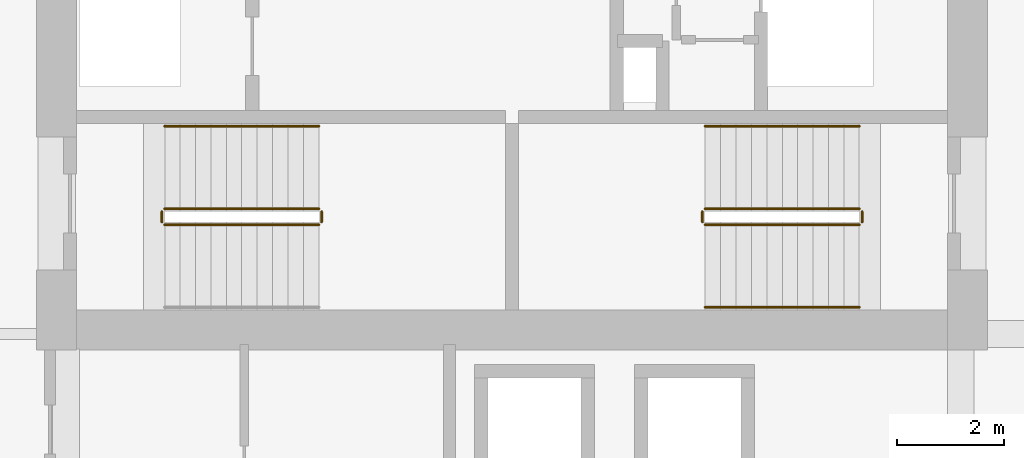
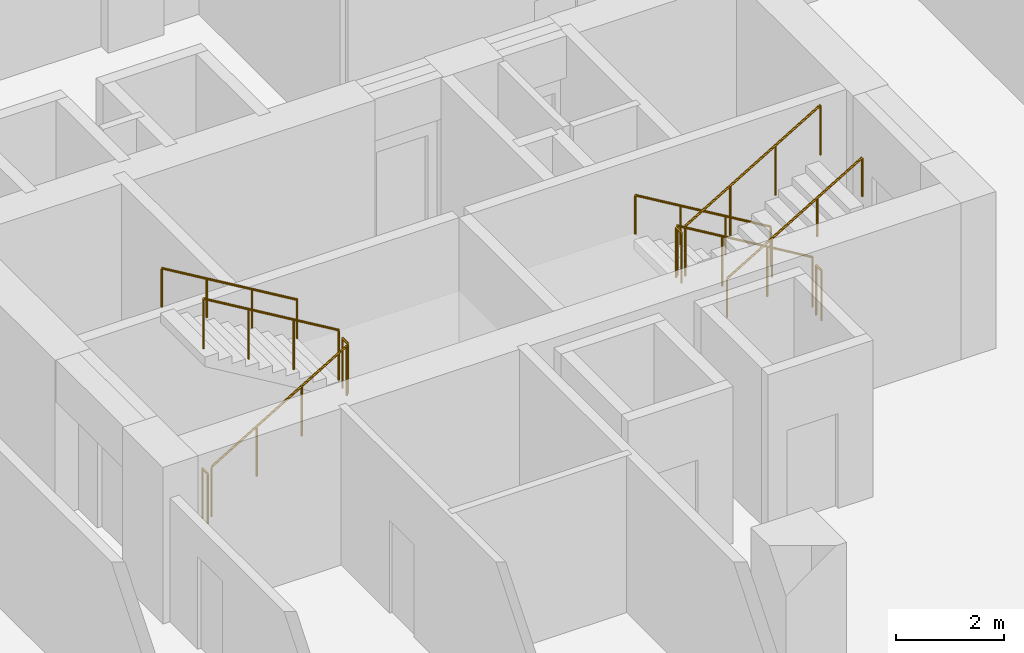
# One storey, part 20 of 22: 11 railings.
"""IFC4 building model written with IfcOpenShell, lengths in metres."""

import ifcopenshell
import ifcopenshell.guid

model = None  # the IFC model being written
_history = None  # IfcOwnerHistory: only IFC2X3 demands one
_inside = {}  # id of a spatial element -> (the spatial element, [elements in it])
_under = {}  # id of a project, library or spatial element -> (it, [spatial elements below it])
_declared = {}  # id of a project -> (the project, [libraries it declares])
_typed = {}  # id of a type object -> (the type object, [elements of that type])
_made_of = {}  # id of a material, layer set ... -> (it, [elements and type objects made of it])


def new_model(schema):
    """Start an empty IFC model of exactly this schema.

    Asked for "IFC4X3", IfcOpenShell would pick the latest addendum, in which some entities
    have other attributes; the version numbers below select the first issue.
    IFC2X3 requires an IfcOwnerHistory on every rooted entity: one is made here for all.
    """
    global model, _history
    if schema == "IFC4X3":
        model = ifcopenshell.file(schema_version=(4, 3, 0, 0))
    else:
        model = ifcopenshell.file(schema=schema)
    _inside.clear()
    _under.clear()
    _declared.clear()
    _typed.clear()
    _made_of.clear()
    _history = None
    if model.schema == "IFC2X3":
        org = make("IfcOrganization", Name="unknown")
        user = make(
            "IfcPersonAndOrganization",
            ThePerson=make("IfcPerson", FamilyName="unknown"),
            TheOrganization=org,
        )
        app = make(
            "IfcApplication",
            ApplicationDeveloper=org,
            Version="unknown",
            ApplicationFullName="unknown",
            ApplicationIdentifier="unknown",
        )
        _history = make(
            "IfcOwnerHistory",
            OwningUser=user,
            OwningApplication=app,
            ChangeAction="ADDED",
            CreationDate=0,
        )
    return model


def make(cls, **values):
    """One entity of the class cls with the attributes given. An attribute that is None is left unset."""
    return model.create_entity(
        cls, **{name: value for name, value in values.items() if value is not None}
    )


def rooted(cls, **values):
    """An entity with a GlobalId (a new one), such as an element, a storey or a relation."""
    return make(cls, GlobalId=ifcopenshell.guid.new(), OwnerHistory=_history, **values)


def si_unit(unit_type, name, prefix=None):
    """IfcSIUnit, for example si_unit("LENGTHUNIT", "METRE", prefix="MILLI")."""
    return make("IfcSIUnit", UnitType=unit_type, Prefix=prefix, Name=name)


def assignment(units):
    """IfcUnitAssignment: the units of a project."""
    return None if units is None else make("IfcUnitAssignment", Units=units)


def point(xyz):
    """IfcCartesianPoint."""
    return None if xyz is None else make("IfcCartesianPoint", Coordinates=xyz)


def direction(xyz):
    """IfcDirection."""
    return None if xyz is None else make("IfcDirection", DirectionRatios=xyz)


def frame(location, z_axis=None, x_axis=None):
    """IfcAxis2Placement3D, a coordinate frame: its origin and axes. An axis left out is left unset."""
    return make(
        "IfcAxis2Placement3D",
        Location=point(location),
        Axis=direction(z_axis),
        RefDirection=direction(x_axis),
    )


def frame_2d(location, x_axis=None):
    """IfcAxis2Placement2D, a coordinate frame in the plane: its origin and x axis."""
    return make(
        "IfcAxis2Placement2D", Location=point(location), RefDirection=direction(x_axis)
    )


def origin():
    """The frame at (0, 0, 0) with its axes left unset."""
    return frame((0.0, 0.0, 0.0))


def origin_2d():
    """The frame at (0, 0) in the plane with its x axis left unset."""
    return frame_2d((0.0, 0.0))


def place(relative_to, where):
    """IfcLocalPlacement: puts the frame where relative to a parent placement (None: the world)."""
    return make(
        "IfcLocalPlacement", PlacementRelTo=relative_to, RelativePlacement=where
    )


def context(
    kind, dimensions, precision=None, world=None, true_north=None, identifier=None
):
    """IfcGeometricRepresentationContext, for example the 3D "Model" context."""
    return make(
        "IfcGeometricRepresentationContext",
        ContextIdentifier=identifier,
        ContextType=kind,
        CoordinateSpaceDimension=dimensions,
        Precision=precision,
        WorldCoordinateSystem=world,
        TrueNorth=true_north,
    )


def subcontext(parent, identifier, kind, view, scale=None):
    """IfcGeometricRepresentationSubContext, for example "Body" below "Model"."""
    return make(
        "IfcGeometricRepresentationSubContext",
        ContextIdentifier=identifier,
        ContextType=kind,
        ParentContext=parent,
        TargetScale=scale,
        TargetView=view,
    )


def project(units=None, contexts=None):
    """IfcProject with its units and contexts."""
    return rooted(
        "IfcProject",
        Name="project",
        RepresentationContexts=contexts,
        UnitsInContext=assignment(units),
    )


def spatial(cls, under=None, at=None, **own):
    """A site, building, storey or space (cls), placed at a placement, below another one or the project."""
    s = rooted(cls, ObjectPlacement=at, **own)
    if under is not None:
        _under.setdefault(under.id(), (under, []))[1].append(s)
    return s


def profile(cls, at=None, kind="AREA", **sizes):
    """A parametric profile (cls). Its sizes go by their IFC names, for example OverallWidth=200.0."""
    return make(cls, ProfileType=kind, Position=at, **sizes)


def circle(**sizes):
    """IfcCircleProfileDef."""
    return profile("IfcCircleProfileDef", **sizes)


def extrude(swept, where, along, depth):
    """IfcExtrudedAreaSolid: the profile swept, set in the frame where, extruded along a direction by depth."""
    return make(
        "IfcExtrudedAreaSolid",
        SweptArea=swept,
        Position=where,
        ExtrudedDirection=direction(along),
        Depth=depth,
    )


def shape(context_of_items, identifier, shape_type, items):
    """IfcShapeRepresentation: the items that make up one representation, for example the "Body"."""
    return make(
        "IfcShapeRepresentation",
        ContextOfItems=context_of_items,
        RepresentationIdentifier=identifier,
        RepresentationType=shape_type,
        Items=items,
    )


def material(Name=None, Category=None):
    """IfcMaterial."""
    return make("IfcMaterial", Name=Name, Category=Category)


def made_of(thing, what):
    """Note that an element or type object is made of a material, layer set ...; save() writes the relation."""
    if what is not None:
        _made_of.setdefault(what.id(), (what, []))[1].append(thing)
    return thing


def type_object(cls, material=None, **own):
    """A type object (cls), such as IfcWallType, which elements share."""
    return made_of(rooted(cls, **own), material)


def element(
    cls,
    number,
    at=None,
    inside=None,
    cuts=None,
    type_object=None,
    material=None,
    context=None,
    identifier="Body",
    shape_type=None,
    held_by="IfcProductDefinitionShape",
    body=None,
    shapes=None,
    **own,
):
    """One element of the class cls, such as IfcWall. Its Tag is "e" and its number.

    at: its placement. inside: the storey or other place that contains it. cuts: it is an
    opening in that element (IfcRelVoidsElement). A single representation is given by context,
    identifier, shape_type and body (its items); several are given by shapes. held_by: the class
    of the entity that holds the representations. save() writes the other relations.
    """
    e = rooted(cls, Tag="e%d" % number, ObjectPlacement=at, **own)
    if body is not None:
        shapes = [shape(context, identifier, shape_type, body)]
    if shapes is not None:
        e.Representation = make(held_by, Representations=shapes)
    if inside is not None:
        _inside.setdefault(inside.id(), (inside, []))[1].append(e)
    if cuts is not None:
        rooted(
            "IfcRelVoidsElement", RelatingBuildingElement=cuts, RelatedOpeningElement=e
        )
    if type_object is not None:
        _typed.setdefault(type_object.id(), (type_object, []))[1].append(e)
    return made_of(e, material)


def aggregate(whole, parts):
    """IfcRelAggregates: a whole, such as a stair, and the parts it consists of."""
    return rooted("IfcRelAggregates", RelatingObject=whole, RelatedObjects=parts)


def save(model, path):
    """Write the relations noted so far, then the file.

    IfcRelAggregates (storeys below a building ...), IfcRelContainedInSpatialStructure (elements
    in a storey), IfcRelDefinesByType, IfcRelAssociatesMaterial and IfcRelDeclares: one each for
    every whole, place, type object, material and project.
    """
    for whole, parts in _under.values():
        aggregate(whole, parts)
    for where, things in _inside.values():
        rooted(
            "IfcRelContainedInSpatialStructure",
            RelatedElements=things,
            RelatingStructure=where,
        )
    for kind, things in _typed.values():
        rooted("IfcRelDefinesByType", RelatedObjects=things, RelatingType=kind)
    for what, things in _made_of.values():
        rooted("IfcRelAssociatesMaterial", RelatedObjects=things, RelatingMaterial=what)
    for by, libraries in _declared.values():
        rooted("IfcRelDeclares", RelatingContext=by, RelatedDefinitions=libraries)
    model.write(path)


model = new_model("IFC4")

# Units and contexts
model_context = context("Model", 3, precision=1e-05, world=origin(), true_north=direction((0.0, 1.0)))
body_context = subcontext(model_context, "Body", "Model", "MODEL_VIEW")
ifc_project = project(units=[si_unit("LENGTHUNIT", "METRE"), si_unit("AREAUNIT", "SQUARE_METRE"), si_unit("VOLUMEUNIT", "CUBIC_METRE"), si_unit("PLANEANGLEUNIT", "RADIAN"), si_unit("MASSUNIT", "GRAM", prefix="KILO")], contexts=[model_context])

# Site, building, storey
site_placement = place(None, origin())
site = spatial("IfcSite", under=ifc_project, at=site_placement, CompositionType="ELEMENT")
building_placement = place(site_placement, origin())
building = spatial("IfcBuilding", under=site, at=building_placement, Name="Koriwani Terraces Tower", CompositionType="ELEMENT")
storey_placement = place(building_placement, frame((0.0, 0.0, 141.800048828125)))
storey = spatial("IfcBuildingStorey", under=building, at=storey_placement, Name="L34", CompositionType="ELEMENT", Elevation=141.800048828125)

# Railings
ifc_material = material(Name="Steel ASTM A572 Grade 50", Category="steel")
railing_type_1 = type_object("IfcRailingType", Name="GUARD_STAIR_WELL_1120", PredefinedType="GUARDRAIL", material=ifc_material)
railing_1_placement = place(storey_placement, frame((43.85009765625, 18.85009765625, 0.172607421875)))
element("IfcRailing", 1, at=railing_1_placement, inside=storey, type_object=railing_type_1, Name="L34 ST-E1 stair guard 1", PredefinedType="GUARDRAIL", context=body_context, shape_type="SweptSolid", body=[
    extrude(circle(Radius=0.02392578125, at=origin_2d()), frame((0.0, 0.0, 1.1259765625), z_axis=(0.859141464434, 0.0, 0.511738159696), x_axis=(0.0, 1.0, 0.0)), (0.0, 0.0, 1.0), 3.375244140625),
    extrude(circle(Radius=0.02099609375, at=origin_2d()), origin(), (0.0, 0.0, 1.0), 1.101806640625),
    extrude(circle(Radius=0.02099609375, at=origin_2d()), frame((0.966552734375, 0.0, 0.57568359375)), (0.0, 0.0, 1.0), 1.101806640625),
    extrude(circle(Radius=0.02099609375, at=origin_2d()), frame((1.933349609375, 0.0, 1.151611328125)), (0.0, 0.0, 1.0), 1.101806640625),
    extrude(circle(Radius=0.02099609375, at=origin_2d()), frame((2.89990234375, 0.0, 1.727294921875)), (0.0, 0.0, 1.0), 1.101806640625),
])
railing_2_placement = place(storey_placement, frame((46.800048828125, 18.89990234375, 1.89990234375)))
element("IfcRailing", 2, at=railing_2_placement, inside=storey, type_object=railing_type_1, Name="L34 ST-E1 stair guard 2", PredefinedType="GUARDRAIL", context=body_context, shape_type="SweptSolid", body=[
    extrude(circle(Radius=0.02392578125, at=origin_2d()), frame((0.0, 0.0, 1.1259765625), z_axis=(0.0, 1.0, 0.0), x_axis=(-1.0, 0.0, 0.0)), (0.0, 0.0, 1.0), 0.2001953125),
    extrude(circle(Radius=0.02099609375, at=origin_2d()), origin(), (0.0, 0.0, 1.0), 1.101806640625),
    extrude(circle(Radius=0.02099609375, at=origin_2d()), frame((0.0, 0.2001953125, 0.0)), (0.0, 0.0, 1.0), 1.101806640625),
])
railing_3_placement = place(storey_placement, frame((46.75, 19.14990234375, 2.07275390625)))
element("IfcRailing", 3, at=railing_3_placement, inside=storey, type_object=railing_type_1, Name="L34 ST-E1 stair guard 3", PredefinedType="GUARDRAIL", context=body_context, shape_type="SweptSolid", body=[
    extrude(circle(Radius=0.02392578125, at=origin_2d()), frame((0.0, 0.0, 1.1259765625), z_axis=(-0.859141464434, 0.0, 0.511738159696), x_axis=(0.0, -1.0, 0.0)), (0.0, 0.0, 1.0), 3.375244140625),
    extrude(circle(Radius=0.02099609375, at=origin_2d()), origin(), (0.0, 0.0, 1.0), 1.101806640625),
    extrude(circle(Radius=0.02099609375, at=origin_2d()), frame((-0.966552734375, 0.0, 0.57568359375)), (0.0, 0.0, 1.0), 1.101806640625),
    extrude(circle(Radius=0.02099609375, at=origin_2d()), frame((-1.933349609375, 0.0, 1.151611328125)), (0.0, 0.0, 1.0), 1.101806640625),
    extrude(circle(Radius=0.02099609375, at=origin_2d()), frame((-2.89990234375, 0.0, 1.727294921875)), (0.0, 0.0, 1.0), 1.101806640625),
])
railing_4_placement = place(storey_placement, frame((43.800048828125, 18.89990234375, 0.0)))
element("IfcRailing", 4, at=railing_4_placement, inside=storey, type_object=railing_type_1, Name="L34 ST-E1 stair guard 4", PredefinedType="GUARDRAIL", context=body_context, shape_type="SweptSolid", body=[
    extrude(circle(Radius=0.02392578125, at=origin_2d()), frame((0.0, 0.0, 1.1259765625), z_axis=(0.0, 1.0, 0.0), x_axis=(-1.0, 0.0, 0.0)), (0.0, 0.0, 1.0), 0.2001953125),
    extrude(circle(Radius=0.02099609375, at=origin_2d()), origin(), (0.0, 0.0, 1.0), 1.101806640625),
    extrude(circle(Radius=0.02099609375, at=origin_2d()), frame((0.0, 0.2001953125, 0.0)), (0.0, 0.0, 1.0), 1.101806640625),
])
railing_5_placement = place(storey_placement, frame((56.89990234375, 19.14990234375, 0.172607421875)))
element("IfcRailing", 5, at=railing_5_placement, inside=storey, type_object=railing_type_1, Name="L34 ST-E2 stair guard 1", PredefinedType="GUARDRAIL", context=body_context, shape_type="SweptSolid", body=[
    extrude(circle(Radius=0.02392578125, at=origin_2d()), frame((0.0, 0.0, 1.1259765625), z_axis=(-0.859141464434, 0.0, 0.511738159696), x_axis=(0.0, -1.0, 0.0)), (0.0, 0.0, 1.0), 3.375244140625),
    extrude(circle(Radius=0.02099609375, at=origin_2d()), origin(), (0.0, 0.0, 1.0), 1.101806640625),
    extrude(circle(Radius=0.02099609375, at=origin_2d()), frame((-0.966552734375, 0.0, 0.57568359375)), (0.0, 0.0, 1.0), 1.101806640625),
    extrude(circle(Radius=0.02099609375, at=origin_2d()), frame((-1.933349609375, 0.0, 1.151611328125)), (0.0, 0.0, 1.0), 1.101806640625),
    extrude(circle(Radius=0.02099609375, at=origin_2d()), frame((-2.89990234375, 0.0, 1.727294921875)), (0.0, 0.0, 1.0), 1.101806640625),
])
railing_6_placement = place(storey_placement, frame((53.949951171875, 19.10009765625, 1.89990234375)))
element("IfcRailing", 6, at=railing_6_placement, inside=storey, type_object=railing_type_1, Name="L34 ST-E2 stair guard 2", PredefinedType="GUARDRAIL", context=body_context, shape_type="SweptSolid", body=[
    extrude(circle(Radius=0.02392578125, at=origin_2d()), frame((0.0, 0.0, 1.1259765625), z_axis=(0.0, -1.0, 0.0), x_axis=(1.0, 0.0, 0.0)), (0.0, 0.0, 1.0), 0.2001953125),
    extrude(circle(Radius=0.02099609375, at=origin_2d()), origin(), (0.0, 0.0, 1.0), 1.101806640625),
    extrude(circle(Radius=0.02099609375, at=origin_2d()), frame((0.0, -0.2001953125, 0.0)), (0.0, 0.0, 1.0), 1.101806640625),
])
railing_7_placement = place(storey_placement, frame((54.0, 18.85009765625, 2.07275390625)))
element("IfcRailing", 7, at=railing_7_placement, inside=storey, type_object=railing_type_1, Name="L34 ST-E2 stair guard 3", PredefinedType="GUARDRAIL", context=body_context, shape_type="SweptSolid", body=[
    extrude(circle(Radius=0.02392578125, at=origin_2d()), frame((0.0, 0.0, 1.1259765625), z_axis=(0.859141464434, 0.0, 0.511738159696), x_axis=(0.0, 1.0, 0.0)), (0.0, 0.0, 1.0), 3.375244140625),
    extrude(circle(Radius=0.02099609375, at=origin_2d()), origin(), (0.0, 0.0, 1.0), 1.101806640625),
    extrude(circle(Radius=0.02099609375, at=origin_2d()), frame((0.966552734375, 0.0, 0.57568359375)), (0.0, 0.0, 1.0), 1.101806640625),
    extrude(circle(Radius=0.02099609375, at=origin_2d()), frame((1.933349609375, 0.0, 1.151611328125)), (0.0, 0.0, 1.0), 1.101806640625),
    extrude(circle(Radius=0.02099609375, at=origin_2d()), frame((2.89990234375, 0.0, 1.727294921875)), (0.0, 0.0, 1.0), 1.101806640625),
])
railing_8_placement = place(storey_placement, frame((56.949951171875, 19.10009765625, 0.0)))
element("IfcRailing", 8, at=railing_8_placement, inside=storey, type_object=railing_type_1, Name="L34 ST-E2 stair guard 4", PredefinedType="GUARDRAIL", context=body_context, shape_type="SweptSolid", body=[
    extrude(circle(Radius=0.02392578125, at=origin_2d()), frame((0.0, 0.0, 1.1259765625), z_axis=(0.0, -1.0, 0.0), x_axis=(1.0, 0.0, 0.0)), (0.0, 0.0, 1.0), 0.2001953125),
    extrude(circle(Radius=0.02099609375, at=origin_2d()), origin(), (0.0, 0.0, 1.0), 1.101806640625),
    extrude(circle(Radius=0.02099609375, at=origin_2d()), frame((0.0, -0.2001953125, 0.0)), (0.0, 0.0, 1.0), 1.101806640625),
])
railing_type_2 = type_object("IfcRailingType", Name="HANDRAIL_STAIR_920", PredefinedType="HANDRAIL", material=ifc_material)
for number, where, name in (
    (9, (46.75, 20.699951171875, 2.07275390625), "L34 ST-E1 stair handrail 2"),
    (10, (56.89990234375, 20.699951171875, 0.172607421875), "L34 ST-E2 stair handrail 1"),
):
    element("IfcRailing", number, at=place(storey_placement, frame(where)), inside=storey, type_object=railing_type_2, Name=name, PredefinedType="HANDRAIL", context=body_context, shape_type="SweptSolid", body=[
        extrude(circle(Radius=0.02392578125, at=origin_2d()), frame((0.0, 0.0, 0.8759765625), z_axis=(-0.859141464434, 0.0, 0.511738159696), x_axis=(0.0, -1.0, 0.0)), (0.0, 0.0, 1.0), 3.375244140625),
        extrude(circle(Radius=0.02099609375, at=origin_2d()), origin(), (0.0, 0.0, 1.0), 0.851806640625),
        extrude(circle(Radius=0.02099609375, at=origin_2d()), frame((-0.966552734375, 0.0, 0.57568359375)), (0.0, 0.0, 1.0), 0.851806640625),
        extrude(circle(Radius=0.02099609375, at=origin_2d()), frame((-1.933349609375, 0.0, 1.151611328125)), (0.0, 0.0, 1.0), 0.851806640625),
        extrude(circle(Radius=0.02099609375, at=origin_2d()), frame((-2.89990234375, 0.0, 1.727294921875)), (0.0, 0.0, 1.0), 0.851806640625),
    ])
railing_9_placement = place(storey_placement, frame((54.0, 17.300048828125, 2.07275390625)))
element("IfcRailing", 11, at=railing_9_placement, inside=storey, type_object=railing_type_2, Name="L34 ST-E2 stair handrail 2", PredefinedType="HANDRAIL", context=body_context, shape_type="SweptSolid", body=[
    extrude(circle(Radius=0.02392578125, at=origin_2d()), frame((0.0, 0.0, 0.8759765625), z_axis=(0.859141464434, 0.0, 0.511738159696), x_axis=(0.0, 1.0, 0.0)), (0.0, 0.0, 1.0), 3.375244140625),
    extrude(circle(Radius=0.02099609375, at=origin_2d()), origin(), (0.0, 0.0, 1.0), 0.851806640625),
    extrude(circle(Radius=0.02099609375, at=origin_2d()), frame((0.966552734375, 0.0, 0.57568359375)), (0.0, 0.0, 1.0), 0.851806640625),
    extrude(circle(Radius=0.02099609375, at=origin_2d()), frame((1.933349609375, 0.0, 1.151611328125)), (0.0, 0.0, 1.0), 0.851806640625),
    extrude(circle(Radius=0.02099609375, at=origin_2d()), frame((2.89990234375, 0.0, 1.727294921875)), (0.0, 0.0, 1.0), 0.851806640625),
])

save(model, "model.ifc")
